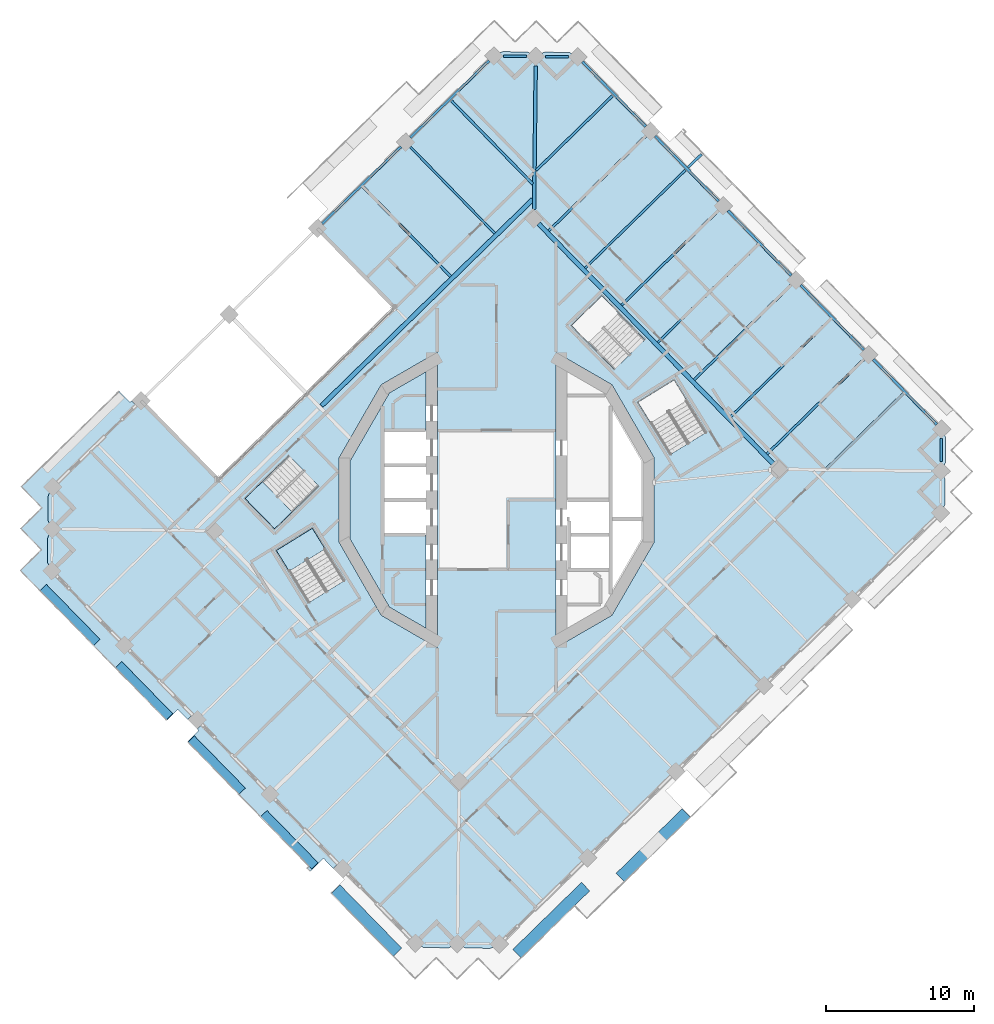
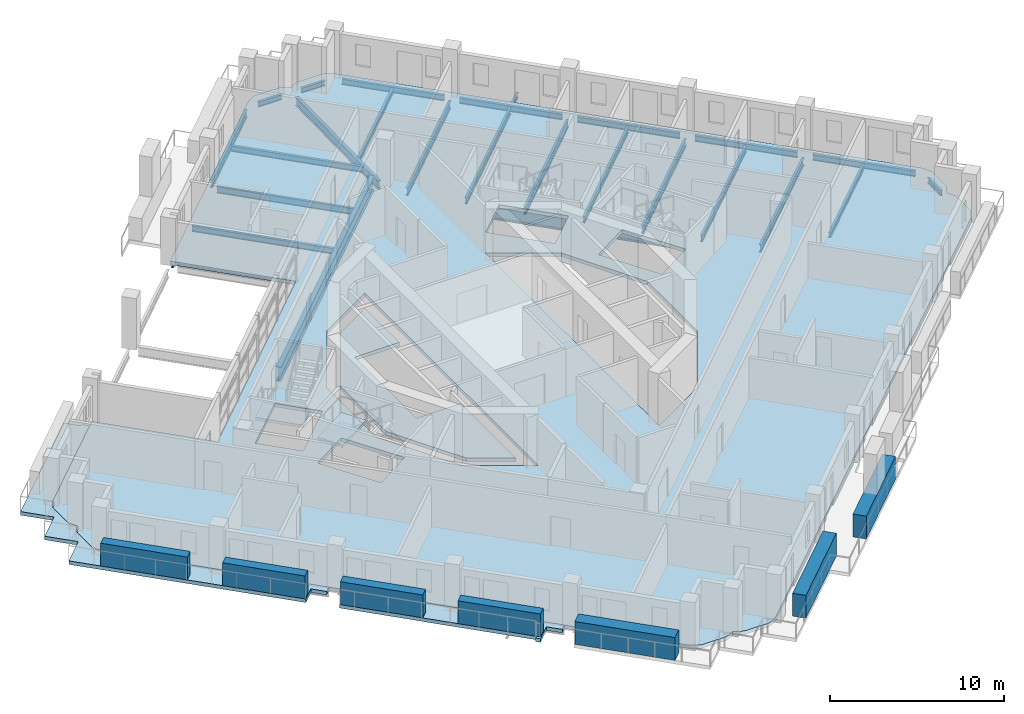
# One storey, part 5 of 21: 26 beams, 7 plates, 6 slabs, 2 elements without a shape of their own.
"""IFC4 building model written with IfcOpenShell, lengths in metres."""

from ifc_helpers import new_model, si_unit, direction, frame, origin, origin_2d, place, context, subcontext, project, spatial, polyline, rectangle, i_section, outline, extrude, material, layer, layer_set, material_profile, profile_set, type_object, element, aggregate, save


model = new_model("IFC4")

# Units and contexts
model_context = context("Model", 3, precision=1e-05, world=origin(), true_north=direction((0.0, 1.0)))
body_context = subcontext(model_context, "Body", "Model", "MODEL_VIEW")
ifc_project = project(units=[si_unit("LENGTHUNIT", "METRE"), si_unit("AREAUNIT", "SQUARE_METRE"), si_unit("VOLUMEUNIT", "CUBIC_METRE"), si_unit("PLANEANGLEUNIT", "RADIAN"), si_unit("MASSUNIT", "GRAM", prefix="KILO")], contexts=[model_context])

# Site, building, storey
site_placement = place(None, origin())
site = spatial("IfcSite", under=ifc_project, at=site_placement, CompositionType="ELEMENT")
building_placement = place(site_placement, origin())
building = spatial("IfcBuilding", under=site, at=building_placement, Name="Cantera Rosa Tower", CompositionType="ELEMENT")
storey_placement = place(building_placement, frame((0.0, 0.0, 234.199951171875)))
storey = spatial("IfcBuildingStorey", under=building, at=storey_placement, Name="L51", CompositionType="ELEMENT", Elevation=234.199951171875)

# Beams
ifc_material_1 = material(Name="Steel ASTM A992 (Fy 345 MPa)", Category="steel")
ifc_material_profile_1 = material_profile(ifc_material_1, i_section(OverallWidth=0.302001953125, OverallDepth=1.010009765625, WebThickness=0.02099609375, FlangeThickness=0.0400390625, FilletRadius=0.030029296875, at=origin_2d()), Name="W1000X350")
ifc_profile_set_1 = profile_set([ifc_material_profile_1], Name="Steel ASTM A992 (Fy 345 MPa)")
beam_type_1 = type_object("IfcBeamType", Name="STEEL BEAM W1000X350", PredefinedType="BEAM", material=ifc_profile_set_1)
beam_1_placement = place(storey_placement, frame((-11.813232421875, 6.353271484375, -0.7548828125), z_axis=(0.715280810147, 0.698837150297, 0.0), x_axis=(-0.698837150297, 0.715280810147, 0.0)))
element("IfcBeam", 1, at=beam_1_placement, inside=storey, type_object=beam_type_1, Name="RB-Z4-02 L51", PredefinedType="BEAM", context=body_context, shape_type="SweptSolid", body=[
    extrude(i_section(OverallWidth=0.302001953125, OverallDepth=1.010009765625, WebThickness=0.02099609375, FlangeThickness=0.0400390625, FilletRadius=0.030029296875, at=origin_2d()), origin(), (0.0, 0.0, 1.0), 19.909912109375),
])
beam_2_placement = place(storey_placement, frame((18.69677734375, 2.39892578125, -0.7548828125), z_axis=(-0.698831294804, 0.715286530981, 0.0), x_axis=(-0.715286530981, -0.698831294804, 0.0)))
element("IfcBeam", 2, at=beam_2_placement, inside=storey, type_object=beam_type_1, Name="RB-Z4-05 L51", PredefinedType="BEAM", context=body_context, shape_type="SweptSolid", body=[
    extrude(i_section(OverallWidth=0.302001953125, OverallDepth=1.010009765625, WebThickness=0.02099609375, FlangeThickness=0.0400390625, FilletRadius=0.030029296875, at=origin_2d()), origin(), (0.0, 0.0, 1.0), 22.7001953125),
])
ifc_material_2 = material(Name="Steel ASTM A992 (Fy 345 MPa)", Category="steel")
ifc_material_profile_2 = material_profile(ifc_material_2, i_section(OverallWidth=0.154052734375, OverallDepth=0.4599609375, WebThickness=0.009033203125, FlangeThickness=0.015380859375, FilletRadius=0.01025390625, at=origin_2d()), Name="W460X68")
ifc_profile_set_2 = profile_set([ifc_material_profile_2], Name="Steel ASTM A992 (Fy 345 MPa)")
beam_type_2 = type_object("IfcBeamType", Name="STEEL BEAM W460X68", PredefinedType="BEAM", material=ifc_profile_set_2)
beam_3_placement = place(storey_placement, frame((-5.818603515625, 23.81396484375, -0.47998046875), z_axis=(0.698836133494, -0.715281803574, 0.0), x_axis=(0.715281803574, 0.698836133494, 0.0)))
element("IfcBeam", 3, at=beam_3_placement, inside=storey, type_object=beam_type_2, Name="G-Z4-05 L51", PredefinedType="BEAM", context=body_context, shape_type="SweptSolid", body=[
    extrude(i_section(OverallWidth=0.154052734375, OverallDepth=0.4599609375, WebThickness=0.009033203125, FlangeThickness=0.015380859375, FilletRadius=0.01025390625, at=origin_2d()), origin(), (0.0, 0.0, 1.0), 8.150146484375),
])
ifc_material_3 = material(Name="Steel ASTM A992 (Fy 345 MPa)", Category="steel")
ifc_material_profile_3 = material_profile(ifc_material_3, i_section(OverallWidth=0.166015625, OverallDepth=0.528076171875, WebThickness=0.009765625, FlangeThickness=0.013671875, FilletRadius=0.0126953125, at=origin_2d()), Name="W530X74")
ifc_profile_set_3 = profile_set([ifc_material_profile_3], Name="Steel ASTM A992 (Fy 345 MPa)")
beam_type_3 = type_object("IfcBeamType", Name="STEEL BEAM W530X74", PredefinedType="BEAM", material=ifc_profile_set_3)
for number, where, z_axis, x_axis, name in (
    (4, (24.77587890625, 9.484619140625, -0.513916015625), (-0.71529025682, -0.698827481213, 0.0), (0.698827481213, -0.71529025682, 0.0), "G-Z4-01 L51"),
    (5, (19.8701171875, 14.505859375, -0.513916015625), (-0.71529025682, -0.698827481213, 0.0), (0.698827481213, -0.71529025682, 0.0), "G-Z4-02 L51"),
    (6, (14.96435546875, 19.527099609375, -0.513916015625), (-0.71529025682, -0.698827481213, 0.0), (0.698827481213, -0.71529025682, 0.0), "G-Z4-03 L51"),
    (7, (10.05859375, 24.548583984375, -0.513916015625), (-0.71529025682, -0.698827481213, 0.0), (0.698827481213, -0.71529025682, 0.0), "G-Z4-04 L51"),
):
    element("IfcBeam", number, at=place(storey_placement, frame(where, z_axis=z_axis, x_axis=x_axis)), inside=storey, type_object=beam_type_3, Name=name, PredefinedType="BEAM", context=body_context, shape_type="SweptSolid", body=[
        extrude(i_section(OverallWidth=0.166015625, OverallDepth=0.528076171875, WebThickness=0.009765625, FlangeThickness=0.013671875, FilletRadius=0.0126953125, at=origin_2d()), origin(), (0.0, 0.0, 1.0), 9.14990234375),
    ])
ifc_material_4 = material(Name="Steel ASTM A992 (Fy 345 MPa)", Category="steel")
ifc_material_profile_4 = material_profile(ifc_material_4, i_section(OverallWidth=0.22802734375, OverallDepth=0.60205078125, WebThickness=0.010498046875, FlangeThickness=0.014892578125, FilletRadius=0.0126953125, at=origin_2d()), Name="W610X101")
ifc_profile_set_4 = profile_set([ifc_material_profile_4], Name="Steel ASTM A992 (Fy 345 MPa)")
beam_type_4 = type_object("IfcBeamType", Name="STEEL BEAM W610X101", PredefinedType="BEAM", material=ifc_profile_set_4)
beam_4_placement = place(storey_placement, frame((2.638916015625, 29.28076171875, -0.551025390625), z_axis=(-0.011618330597, -0.999932504919, 0.0), x_axis=(0.999932504919, -0.011618330597, 0.0)))
element("IfcBeam", 8, at=beam_4_placement, inside=storey, type_object=beam_type_4, Name="CB-Z4-01 L51", PredefinedType="BEAM", context=body_context, shape_type="SweptSolid", body=[
    extrude(i_section(OverallWidth=0.22802734375, OverallDepth=0.60205078125, WebThickness=0.010498046875, FlangeThickness=0.014892578125, FilletRadius=0.0126953125, at=origin_2d()), origin(), (0.0, 0.0, 1.0), 9.687255859375),
])
ifc_material_5 = material(Name="Steel ASTM A992 (Fy 345 MPa)", Category="steel")
ifc_material_profile_5 = material_profile(ifc_material_5, i_section(OverallWidth=0.1708984375, OverallDepth=0.35595703125, WebThickness=0.00732421875, FlangeThickness=0.01171875, FilletRadius=0.010009765625, at=origin_2d()), Name="W360X51")
ifc_profile_set_5 = profile_set([ifc_material_profile_5], Name="Steel ASTM A992 (Fy 345 MPa)")
beam_type_5 = type_object("IfcBeamType", Name="STEEL JOIST W360X51", PredefinedType="JOIST", material=ifc_profile_set_5)
for number, where, z_axis, x_axis, name in (
    (9, (27.443359375, 7.18359375, -0.427978515625), (-0.715287213552, -0.69883059616, 0.0), (0.69883059616, -0.715287213552, 0.0), "B-Z4-01 L51"),
    (10, (7.8203125, 27.268798828125, -0.427978515625), (-0.715287213552, -0.69883059616, 0.0), (0.69883059616, -0.715287213552, 0.0), "B-Z4-05 L51"),
):
    element("IfcBeam", number, at=place(storey_placement, frame(where, z_axis=z_axis, x_axis=x_axis)), inside=storey, type_object=beam_type_5, Name=name, PredefinedType="JOIST", context=body_context, shape_type="SweptSolid", body=[
        extrude(i_section(OverallWidth=0.1708984375, OverallDepth=0.35595703125, WebThickness=0.00732421875, FlangeThickness=0.01171875, FilletRadius=0.010009765625, at=origin_2d()), origin(), (0.0, 0.0, 1.0), 7.2099609375),
    ])
beam_5_placement = place(storey_placement, frame((12.92626953125, 22.443115234375, -0.427978515625), z_axis=(0.715266175044, 0.698852129451, 0.0), x_axis=(-0.698852129451, 0.715266175044, 0.0)))
element("IfcBeam", 11, at=beam_5_placement, inside=storey, type_object=beam_type_5, Name="BS-Z4-17 L51", PredefinedType="JOIST", context=body_context, shape_type="SweptSolid", body=[
    extrude(i_section(OverallWidth=0.1708984375, OverallDepth=0.35595703125, WebThickness=0.00732421875, FlangeThickness=0.01171875, FilletRadius=0.010009765625, at=origin_2d()), origin(), (0.0, 0.0, 1.0), 1.26416015625),
])
ifc_material_6 = material(Name="Steel ASTM A992 (Fy 345 MPa)", Category="steel")
ifc_material_profile_6 = material_profile(ifc_material_6, i_section(OverallWidth=0.177978515625, OverallDepth=0.406005859375, WebThickness=0.0078125, FlangeThickness=0.0126953125, FilletRadius=0.01025390625, at=origin_2d()), Name="W410X60")
ifc_profile_set_6 = profile_set([ifc_material_profile_6], Name="Steel ASTM A992 (Fy 345 MPa)")
beam_type_6 = type_object("IfcBeamType", Name="STEEL JOIST W410X60", PredefinedType="JOIST", material=ifc_profile_set_6)
beam_6_placement = place(storey_placement, frame((-3.052734375, 26.935791015625, -0.452880859375), z_axis=(0.698827868311, -0.715289878631, 0.0), x_axis=(0.715289878631, 0.698827868311, 0.0)))
element("IfcBeam", 12, at=beam_6_placement, inside=storey, type_object=beam_type_6, Name="B-Z4-06 L51", PredefinedType="JOIST", context=body_context, shape_type="SweptSolid", body=[
    extrude(i_section(OverallWidth=0.177978515625, OverallDepth=0.406005859375, WebThickness=0.0078125, FlangeThickness=0.0126953125, FilletRadius=0.01025390625, at=origin_2d()), origin(), (0.0, 0.0, 1.0), 7.860107421875),
])
beam_7_placement = place(storey_placement, frame((-9.00390625, 21.121337890625, -0.452880859375), z_axis=(0.698839235604, -0.715278772774, 0.0), x_axis=(0.715278772774, 0.698839235604, 0.0)))
element("IfcBeam", 13, at=beam_7_placement, inside=storey, type_object=beam_type_6, Name="B-Z4-07 L51", PredefinedType="JOIST", context=body_context, shape_type="SweptSolid", body=[
    extrude(i_section(OverallWidth=0.177978515625, OverallDepth=0.406005859375, WebThickness=0.0078125, FlangeThickness=0.0126953125, FilletRadius=0.01025390625, at=origin_2d()), origin(), (0.0, 0.0, 1.0), 8.4501953125),
])
ifc_material_7 = material(Name="Steel ASTM A992 (Fy 345 MPa)", Category="steel")
ifc_material_profile_7 = material_profile(ifc_material_7, i_section(OverallWidth=0.154052734375, OverallDepth=0.4599609375, WebThickness=0.009033203125, FlangeThickness=0.015380859375, FilletRadius=0.01025390625, at=origin_2d()), Name="W460X68")
ifc_profile_set_7 = profile_set([ifc_material_profile_7], Name="Steel ASTM A992 (Fy 345 MPa)")
beam_type_7 = type_object("IfcBeamType", Name="STEEL JOIST W460X68", PredefinedType="JOIST", material=ifc_profile_set_7)
for number, where, z_axis, x_axis, name in (
    (14, (22.53759765625, 12.204833984375, -0.47998046875), (-0.715287278354, -0.698830529832, 0.0), (0.698830529832, -0.715287278354, 0.0), "B-Z4-02 L51"),
    (15, (17.6318359375, 17.226318359375, -0.47998046875), (-0.715287278354, -0.698830529832, 0.0), (0.698830529832, -0.715287278354, 0.0), "B-Z4-03 L51"),
    (16, (12.72607421875, 22.24755859375, -0.47998046875), (-0.715287278354, -0.698830529832, 0.0), (0.698830529832, -0.715287278354, 0.0), "B-Z4-04 L51"),
):
    element("IfcBeam", number, at=place(storey_placement, frame(where, z_axis=z_axis, x_axis=x_axis)), inside=storey, type_object=beam_type_7, Name=name, PredefinedType="JOIST", context=body_context, shape_type="SweptSolid", body=[
        extrude(i_section(OverallWidth=0.154052734375, OverallDepth=0.4599609375, WebThickness=0.009033203125, FlangeThickness=0.015380859375, FilletRadius=0.01025390625, at=origin_2d()), origin(), (0.0, 0.0, 1.0), 9.4501953125),
    ])
ifc_material_8 = material(Name="Steel ASTM A992 (Fy 345 MPa)", Category="steel")
ifc_material_profile_8 = material_profile(ifc_material_8, i_section(OverallWidth=0.1708984375, OverallDepth=0.35595703125, WebThickness=0.00732421875, FlangeThickness=0.01171875, FilletRadius=0.010009765625, at=origin_2d()), Name="W360X51")
ifc_profile_set_8 = profile_set([ifc_material_profile_8], Name="Steel ASTM A992 (Fy 345 MPa)")
beam_type_8 = type_object("IfcBeamType", Name="STEEL SPANDREL BEAM W360X51", PredefinedType="SPANDREL", material=ifc_profile_set_8)
for number, where, z_axis, x_axis, name in (
    (17, (4.838134765625, 29.8916015625, -0.427978515625), (-0.999930716123, 0.011771276677, 0.0), (-0.011771276677, -0.999930716123, 0.0), "EB-Z4-06 L51"),
    (18, (2.010009765625, 29.924560546875, -0.427978515625), (-0.99993255119, 0.011614347636, 0.0), (-0.011614347636, -0.99993255119, 0.0), "EB-Z4-07 L51"),
    (19, (29.97802734375, 2.5859375, -0.427978515625), (0.011614347636, 0.99993255119, 0.0), (-0.99993255119, 0.011614347636, 0.0), "EB-Z4-28 L51"),
):
    element("IfcBeam", number, at=place(storey_placement, frame(where, z_axis=z_axis, x_axis=x_axis)), inside=storey, type_object=beam_type_8, Name=name, PredefinedType="SPANDREL", context=body_context, shape_type="SweptSolid", body=[
        extrude(i_section(OverallWidth=0.1708984375, OverallDepth=0.35595703125, WebThickness=0.00732421875, FlangeThickness=0.01171875, FilletRadius=0.010009765625, at=origin_2d()), origin(), (0.0, 0.0, 1.0), 1.555419921875),
    ])
ifc_material_9 = material(Name="Steel ASTM A992 (Fy 345 MPa)", Category="steel")
ifc_material_profile_9 = material_profile(ifc_material_9, i_section(OverallWidth=0.177978515625, OverallDepth=0.406005859375, WebThickness=0.0078125, FlangeThickness=0.0126953125, FilletRadius=0.01025390625, at=origin_2d()), Name="W410X60")
ifc_profile_set_9 = profile_set([ifc_material_profile_9], Name="Steel ASTM A992 (Fy 345 MPa)")
beam_type_9 = type_object("IfcBeamType", Name="STEEL SPANDREL BEAM W410X60", PredefinedType="SPANDREL", material=ifc_profile_set_9)
beam_8_placement = place(storey_placement, frame((29.689208984375, 5.099609375, -0.452880859375), z_axis=(-0.69882117953, 0.715296413412, 0.0), x_axis=(-0.715296413412, -0.69882117953, 0.0)))
element("IfcBeam", 20, at=beam_8_placement, inside=storey, type_object=beam_type_9, Name="EB-Z4-01 L51", PredefinedType="SPANDREL", context=body_context, shape_type="SweptSolid", body=[
    extrude(i_section(OverallWidth=0.177978515625, OverallDepth=0.406005859375, WebThickness=0.0078125, FlangeThickness=0.0126953125, FilletRadius=0.01025390625, at=origin_2d()), origin(), (0.0, 0.0, 1.0), 6.1201171875),
])
for number, where, z_axis, x_axis, name in (
    (21, (24.783203125, 10.120849609375, -0.452880859375), (-0.698800768177, 0.715316354067, 0.0), (-0.715316354067, -0.698800768177, 0.0), "EB-Z4-02 L51"),
    (22, (19.87744140625, 15.142333984375, -0.452880859375), (-0.698841120217, 0.71527693147, 0.0), (-0.71527693147, -0.698841120217, 0.0), "EB-Z4-03 L51"),
    (23, (14.9716796875, 20.16357421875, -0.452880859375), (-0.698841120217, 0.71527693147, 0.0), (-0.71527693147, -0.698841120217, 0.0), "EB-Z4-04 L51"),
):
    element("IfcBeam", number, at=place(storey_placement, frame(where, z_axis=z_axis, x_axis=x_axis)), inside=storey, type_object=beam_type_9, Name=name, PredefinedType="SPANDREL", context=body_context, shape_type="SweptSolid", body=[
        extrude(i_section(OverallWidth=0.177978515625, OverallDepth=0.406005859375, WebThickness=0.0078125, FlangeThickness=0.0126953125, FilletRadius=0.01025390625, at=origin_2d()), origin(), (0.0, 0.0, 1.0), 6.119873046875),
    ])
beam_9_placement = place(storey_placement, frame((10.06591796875, 25.184814453125, -0.452880859375), z_axis=(-0.69882117953, 0.715296413412, 0.0), x_axis=(-0.715296413412, -0.69882117953, 0.0)))
element("IfcBeam", 24, at=beam_9_placement, inside=storey, type_object=beam_type_9, Name="EB-Z4-05 L51", PredefinedType="SPANDREL", context=body_context, shape_type="SweptSolid", body=[
    extrude(i_section(OverallWidth=0.177978515625, OverallDepth=0.406005859375, WebThickness=0.0078125, FlangeThickness=0.0126953125, FilletRadius=0.01025390625, at=origin_2d()), origin(), (0.0, 0.0, 1.0), 6.1201171875),
])
ifc_material_10 = material(Name="Steel ASTM A992 (Fy 345 MPa)", Category="steel")
ifc_material_profile_10 = material_profile(ifc_material_10, i_section(OverallWidth=0.166015625, OverallDepth=0.528076171875, WebThickness=0.009765625, FlangeThickness=0.013671875, FilletRadius=0.0126953125, at=origin_2d()), Name="W530X74")
ifc_profile_set_10 = profile_set([ifc_material_profile_10], Name="Steel ASTM A992 (Fy 345 MPa)")
beam_type_10 = type_object("IfcBeamType", Name="STEEL SPANDREL BEAM W530X74", PredefinedType="SPANDREL", material=ifc_profile_set_10)
beam_10_placement = place(storey_placement, frame((-0.503662109375, 29.6357421875, -0.513916015625), z_axis=(-0.715284379566, -0.698833496871, 0.0), x_axis=(0.698833496871, -0.715284379566, 0.0)))
element("IfcBeam", 25, at=beam_10_placement, inside=storey, type_object=beam_type_10, Name="EB-Z4-08 L51", PredefinedType="SPANDREL", context=body_context, shape_type="SweptSolid", body=[
    extrude(i_section(OverallWidth=0.166015625, OverallDepth=0.528076171875, WebThickness=0.009765625, FlangeThickness=0.013671875, FilletRadius=0.0126953125, at=origin_2d()), origin(), (0.0, 0.0, 1.0), 7.42041015625),
])
beam_11_placement = place(storey_placement, frame((-6.454833984375, 23.8212890625, -0.513916015625), z_axis=(-0.715300826176, -0.698816662703, 0.0), x_axis=(0.698816662703, -0.715300826176, 0.0)))
element("IfcBeam", 26, at=beam_11_placement, inside=storey, type_object=beam_type_10, Name="EB-Z4-09 L51", PredefinedType="SPANDREL", context=body_context, shape_type="SweptSolid", body=[
    extrude(i_section(OverallWidth=0.166015625, OverallDepth=0.528076171875, WebThickness=0.009765625, FlangeThickness=0.013671875, FilletRadius=0.0126953125, at=origin_2d()), origin(), (0.0, 0.0, 1.0), 7.420166015625),
])

# Slabs
ifc_material_11 = material(Name="Concrete C35/45", Category="concrete")
ifc_layer_1 = layer(ifc_material_11, 0.25)
ifc_layer_set_1 = layer_set([ifc_layer_1], Name="COMPOSITE FLOOR SLAB 250 C35/45")
slab_type_1 = type_object("IfcSlabType", Name="COMPOSITE FLOOR SLAB 250 C35/45", PredefinedType="FLOOR", material=ifc_layer_set_1)
slab_1_placement = place(storey_placement, frame((0.0, 0.0, -0.25)))
element("IfcSlab", 27, at=slab_1_placement, inside=storey, type_object=slab_type_1, Name="SLAB L51 floor 1", PredefinedType="FLOOR", context=body_context, shape_type="SweptSolid", body=[
    extrude(outline(polyline([(-7.699951171875, 0.0), (-7.699951171875, -2.35009765625), (-4.75, -2.35009765625), (-4.75, -8.660400390625), (-7.22900390625, -7.22900390625), (-9.875244140625, -2.64599609375), (-9.875244140625, 2.64599609375), (-7.22900390625, 7.22900390625), (-4.75, 8.660400390625), (-4.75, 4.699951171875), (-7.699951171875, 4.699951171875), (-7.699951171875, 2.35009765625), (-7.699951171875, 0.0)])), origin(), (0.0, 0.0, 1.0), 0.25),
])
slab_2_placement = place(storey_placement, frame((0.0, 0.0, -0.25)))
element("IfcSlab", 28, at=slab_2_placement, inside=storey, type_object=slab_type_1, Name="SLAB L51 floor 2", PredefinedType="FLOOR", context=body_context, shape_type="SweptSolid", body=[
    extrude(outline(polyline([(-2.1279296875, -30.200439453125), (-2.154541015625, -30.1875), (-2.646484375, -29.917236328125), (-3.144287109375, -30.176025390625), (-3.171142578125, -30.188232421875), (-3.198974609375, -30.197998046875), (-3.2275390625, -30.20458984375), (-3.2568359375, -30.208740234375), (-3.2861328125, -30.209716796875), (-4.841796875, -30.191650390625), (-4.87109375, -30.18994140625), (-4.900146484375, -30.185302734375), (-4.9287109375, -30.177734375), (-4.956298828125, -30.16748046875), (-4.982666015625, -30.154541015625), (-5.474609375, -29.88427734375), (-30.003662109375, -4.777587890625), (-30.262451171875, -4.27978515625), (-30.274658203125, -4.2529296875), (-30.2841796875, -4.22509765625), (-30.291015625, -4.196533203125), (-30.295166015625, -4.167236328125), (-30.296142578125, -4.137939453125), (-30.278076171875, -2.58251953125), (-30.2763671875, -2.552978515625), (-30.271484375, -2.52392578125), (-30.26416015625, -2.495361328125), (-30.25390625, -2.4677734375), (-30.240966796875, -2.44140625), (-29.970703125, -1.949462890625), (-30.2294921875, -1.451416015625), (-30.24169921875, -1.4248046875), (-30.25146484375, -1.39697265625), (-30.25830078125, -1.368408203125), (-30.26220703125, -1.339111328125), (-30.26318359375, -1.309814453125), (-30.2451171875, 0.245849609375), (-30.243408203125, 0.275146484375), (-30.23876953125, 0.30419921875), (-30.231201171875, 0.332763671875), (-30.220947265625, 0.3603515625), (-30.2080078125, 0.386962890625), (-29.937744140625, 0.878662109375), (-23.986572265625, 6.693115234375), (-18.745361328125, 1.328369140625), (-6.843017578125, 12.956787109375), (-12.084228515625, 18.321533203125), (-0.883056640625, 29.26513671875), (-0.181884765625, 29.9501953125), (0.316162109375, 30.208984375), (0.343017578125, 30.22119140625), (0.37060546875, 30.230712890625), (0.3994140625, 30.237548828125), (0.4287109375, 30.24169921875), (0.4580078125, 30.24267578125), (2.013427734375, 30.224609375), (2.04296875, 30.222900390625), (2.072021484375, 30.218017578125), (2.100341796875, 30.210693359375), (2.1279296875, 30.200439453125), (2.154541015625, 30.1875), (2.646484375, 29.917236328125), (3.144287109375, 30.176025390625), (3.171142578125, 30.188232421875), (3.198974609375, 30.197998046875), (3.2275390625, 30.20458984375), (3.2568359375, 30.208740234375), (3.2861328125, 30.209716796875), (4.841796875, 30.191650390625), (4.87109375, 30.18994140625), (4.900146484375, 30.185302734375), (4.9287109375, 30.177734375), (4.956298828125, 30.16748046875), (4.982666015625, 30.154541015625), (5.474609375, 29.88427734375), (30.003662109375, 4.777587890625), (30.262451171875, 4.27978515625), (30.274658203125, 4.2529296875), (30.2841796875, 4.22509765625), (30.291015625, 4.196533203125), (30.295166015625, 4.167236328125), (30.296142578125, 4.137939453125), (30.278076171875, 2.58251953125), (30.2763671875, 2.552978515625), (30.271484375, 2.52392578125), (30.26416015625, 2.495361328125), (30.25390625, 2.4677734375), (30.240966796875, 2.44140625), (29.970703125, 1.949462890625), (30.2294921875, 1.451416015625), (30.24169921875, 1.4248046875), (30.25146484375, 1.39697265625), (30.25830078125, 1.368408203125), (30.26220703125, 1.339111328125), (30.26318359375, 1.309814453125), (30.2451171875, -0.245849609375), (30.243408203125, -0.275146484375), (30.23876953125, -0.30419921875), (30.231201171875, -0.332763671875), (30.220947265625, -0.3603515625), (30.2080078125, -0.386962890625), (29.937744140625, -0.878662109375), (0.883056640625, -29.26513671875), (0.181884765625, -29.9501953125), (-0.316162109375, -30.208984375), (-0.343017578125, -30.22119140625), (-0.37060546875, -30.230712890625), (-0.3994140625, -30.237548828125), (-0.4287109375, -30.24169921875), (-0.4580078125, -30.24267578125), (-2.013427734375, -30.224609375), (-2.04296875, -30.222900390625), (-2.072021484375, -30.218017578125), (-2.100341796875, -30.210693359375), (-2.1279296875, -30.200439453125)]), holes=[polyline([(-12.430908203125, -1.911376953125), (-14.8564453125, -3.407470703125), (-12.68408203125, -6.929443359375), (-10.258544921875, -5.433349609375), (-12.430908203125, -1.911376953125)]), polyline([(-7.7783203125, 7.7783203125), (-10.625244140625, 2.846923828125), (-10.625244140625, -2.846923828125), (-7.7783203125, -7.7783203125), (-4.0, -9.95947265625), (-4.0, 9.95947265625), (-7.7783203125, 7.7783203125)]), polyline([(-14.0029296875, 2.9892578125), (-16.962890625, 0.097412109375), (-14.97119140625, -1.941162109375), (-12.01123046875, 0.95068359375), (-14.0029296875, 2.9892578125)]), polyline([(7.7783203125, -7.7783203125), (10.625244140625, -2.846923828125), (10.625244140625, 2.846923828125), (7.7783203125, 7.7783203125), (4.0, 9.95947265625), (4.0, -9.95947265625), (7.7783203125, -7.7783203125)]), polyline([(14.1416015625, 4.566650390625), (11.96923828125, 8.088623046875), (9.54345703125, 6.592529296875), (11.7158203125, 3.070556640625), (14.1416015625, 4.566650390625)]), polyline([(9.9892578125, 10.802978515625), (7.097412109375, 13.762939453125), (5.058837890625, 11.771240234375), (7.95068359375, 8.811279296875), (9.9892578125, 10.802978515625)])]), origin(), (0.0, 0.0, 1.0), 0.25),
])
ifc_material_12 = material(Name="Concrete C35/45", Category="concrete")
ifc_layer_2 = layer(ifc_material_12, 0.25)
ifc_layer_set_2 = layer_set([ifc_layer_2], Name="LOGGIA SLAB 250 C35/45")
slab_type_2 = type_object("IfcSlabType", Name="LOGGIA SLAB 250 C35/45", PredefinedType="FLOOR", material=ifc_layer_set_2)
slab_3_placement = place(storey_placement, frame((0.0, 0.0, -0.25)))
element("IfcSlab", 29, at=slab_3_placement, inside=storey, type_object=slab_type_2, Name="LOGGIA SLAB L51 1", PredefinedType="FLOOR", context=body_context, shape_type="SweptSolid", body=[
    extrude(outline(polyline([(-27.218994140625, -9.7744140625), (-31.076416015625, -5.825927734375), (-32.124755859375, -4.753173828125), (-31.0517578125, -3.704833984375), (-30.694091796875, -3.35546875), (-31.043701171875, -2.997802734375), (-32.091796875, -1.9248046875), (-31.018798828125, -0.876708984375), (-30.661376953125, -0.527099609375), (-31.0107421875, -0.16943359375), (-32.05908203125, 0.9033203125), (-30.986083984375, 1.95166015625), (-26.110107421875, 6.71533203125), (-26.11279296875, 6.7177734375), (-25.46630859375, 7.34912109375), (-24.730224609375, 6.595703125), (-24.622802734375, 6.700439453125), (-24.30859375, 6.37841796875), (-29.937744140625, 0.878662109375), (-30.2080078125, 0.386962890625), (-30.220947265625, 0.3603515625), (-30.231201171875, 0.332763671875), (-30.23876953125, 0.30419921875), (-30.243408203125, 0.275146484375), (-30.2451171875, 0.245849609375), (-30.26318359375, -1.309814453125), (-30.26220703125, -1.339111328125), (-30.25830078125, -1.368408203125), (-30.25146484375, -1.39697265625), (-30.24169921875, -1.4248046875), (-30.2294921875, -1.451416015625), (-29.970703125, -1.949462890625), (-30.240966796875, -2.44140625), (-30.25390625, -2.4677734375), (-30.26416015625, -2.495361328125), (-30.271484375, -2.52392578125), (-30.2763671875, -2.552978515625), (-30.278076171875, -2.58251953125), (-30.296142578125, -4.137939453125), (-30.295166015625, -4.167236328125), (-30.291015625, -4.196533203125), (-30.2841796875, -4.22509765625), (-30.274658203125, -4.2529296875), (-30.262451171875, -4.27978515625), (-30.003662109375, -4.777587890625), (-20.506591796875, -14.49853515625), (-20.828369140625, -14.81298828125), (-21.4921875, -14.13330078125), (-22.243408203125, -14.8671875), (-22.313232421875, -14.795654296875), (-25.12255859375, -11.920166015625), (-27.218994140625, -9.7744140625)])), origin(), (0.0, 0.0, 1.0), 0.25),
])
slab_4_placement = place(storey_placement, frame((0.0, 0.0, -0.25)))
element("IfcSlab", 30, at=slab_4_placement, inside=storey, type_object=slab_type_2, Name="LOGGIA SLAB L51 2", PredefinedType="FLOOR", context=body_context, shape_type="SweptSolid", body=[
    extrude(outline(polyline([(-17.42724609375, -19.81689453125), (-17.417236328125, -19.806884765625), (-20.216796875, -16.94140625), (-20.845703125, -16.2978515625), (-20.094482421875, -15.56396484375), (-20.199462890625, -15.456787109375), (-19.87744140625, -15.14208984375), (-10.69482421875, -24.541015625), (-11.016845703125, -24.855712890625), (-11.6806640625, -24.176025390625), (-12.57470703125, -25.049560546875), (-12.784423828125, -24.8349609375), (-12.6513671875, -24.705078125), (-17.42724609375, -19.81689453125)])), origin(), (0.0, 0.0, 1.0), 0.25),
])

# Plates
ifc_material_13 = material(Name="Cantera stone planter with soil", Category="masonry")
plate_type_1 = type_object("IfcPlateType", Name="PLANTER 600", PredefinedType="USERDEFINED", material=ifc_material_13)
plate_1_placement = place(storey_placement, frame((-28.77587890625, -7.75146484375, 0.0), z_axis=(0.0, 0.0, 1.0), x_axis=(0.698831540364, -0.71528629107, 0.0)))
element("IfcPlate", 31, at=plate_1_placement, inside=storey, type_object=plate_type_1, Name="PLANTER L51-11", ObjectType="PLANTER", PredefinedType="USERDEFINED", context=body_context, shape_type="SweptSolid", body=[
    extrude(rectangle(XDim=5.169921875, YDim=0.60009765625, at=origin_2d()), origin(), (0.0, 0.0, 1.0), 1.60009765625),
])
for number, where, z_axis, x_axis, name in (
    (32, (-23.78271484375, -12.8623046875, 0.0), (0.0, 0.0, 1.0), (0.698831540364, -0.71528629107, 0.0), "PLANTER L51-12"),
    (33, (-18.876953125, -17.883544921875, 0.0), (0.0, 0.0, 1.0), (0.698831540364, -0.71528629107, 0.0), "PLANTER L51-13"),
    (34, (-13.981201171875, -22.91455078125, 0.0), (0.0, 0.0, 1.0), (0.698831540364, -0.71528629107, 0.0), "PLANTER L51-14"),
):
    element("IfcPlate", number, at=place(storey_placement, frame(where, z_axis=z_axis, x_axis=x_axis)), inside=storey, type_object=plate_type_1, Name=name, ObjectType="PLANTER", PredefinedType="USERDEFINED", context=body_context, shape_type="SweptSolid", body=[
        extrude(rectangle(XDim=4.919921875, YDim=0.60009765625, at=origin_2d()), origin(), (0.0, 0.0, 1.0), 1.60009765625),
    ])
ifc_material_14 = material(Name="Cantera stone planter with soil", Category="masonry")
plate_type_2 = type_object("IfcPlateType", Name="PLANTER 800", PredefinedType="USERDEFINED", material=ifc_material_14)
plate_2_placement = place(storey_placement, frame((-8.77001953125, -28.37158203125, 0.0), z_axis=(0.0, 0.0, 1.0), x_axis=(0.698831540364, -0.71528629107, 0.0)))
element("IfcPlate", 35, at=plate_2_placement, inside=storey, type_object=plate_type_2, Name="PLANTER L51-15", ObjectType="PLANTER", PredefinedType="USERDEFINED", context=body_context, shape_type="SweptSolid", body=[
    extrude(rectangle(XDim=5.969970703125, YDim=0.800048828125, at=origin_2d()), origin(), (0.0, 0.0, 1.0), 1.60009765625),
])
plate_3_placement = place(storey_placement, frame((3.6904296875, -28.33984375, 0.0), z_axis=(0.0, 0.0, 1.0), x_axis=(0.71528629107, 0.698831540364, 0.0)))
element("IfcPlate", 36, at=plate_3_placement, inside=storey, type_object=plate_type_2, Name="PLANTER L51-16", ObjectType="PLANTER", PredefinedType="USERDEFINED", context=body_context, shape_type="SweptSolid", body=[
    extrude(rectangle(XDim=6.469970703125, YDim=0.800048828125, at=origin_2d()), origin(), (0.0, 0.0, 1.0), 1.60009765625),
])
plate_4_placement = place(storey_placement, frame((10.56640625, -23.29296875, 0.0), z_axis=(0.0, 0.0, 1.0), x_axis=(0.71528629107, 0.698831540364, 0.0)))
element("IfcPlate", 37, at=plate_4_placement, inside=storey, type_object=plate_type_2, Name="PLANTER L51-17", ObjectType="PLANTER", PredefinedType="USERDEFINED", context=body_context, shape_type="SweptSolid", body=[
    extrude(rectangle(XDim=6.219970703125, YDim=0.800048828125, at=origin_2d()), origin(), (0.0, 0.0, 1.0), 1.60009765625),
])

# Stair, slab
ifc_material_15 = material(Name="Concrete C35/45", Category="concrete")
stair_type = type_object("IfcStairType", Name="EXIT STAIR 1350 DOGLEG", PredefinedType="HALF_TURN_STAIR", material=ifc_material_15)
stair_1_placement = place(storey_placement, origin())
stair_1 = element("IfcStair", 38, at=stair_1_placement, inside=storey, type_object=stair_type, Name="L51 ST-43", PredefinedType="HALF_TURN_STAIR")
ifc_material_16 = material(Name="Concrete C35/45", Category="concrete")
ifc_layer_3 = layer(ifc_material_16, 0.199951171875)
ifc_layer_set_3 = layer_set([ifc_layer_3], Name="STAIR LANDING 200")
slab_type_3 = type_object("IfcSlabType", Name="STAIR LANDING 200", PredefinedType="LANDING", material=ifc_layer_set_3)
slab_5_placement = place(storey_placement, frame((0.0, 0.0, 1.60009765625)))
slab_5 = element("IfcSlab", 39, at=slab_5_placement, type_object=slab_type_3, Name="ST-43 landing 1", PredefinedType="LANDING", context=body_context, shape_type="SweptSolid", body=[
    extrude(outline(polyline([(-15.788330078125, 1.244873046875), (-16.962890625, 0.097412109375), (-14.97119140625, -1.941162109375), (-13.796630859375, -0.793701171875), (-15.788330078125, 1.244873046875)])), origin(), (0.0, 0.0, 1.0), 0.199951171875),
])
aggregate(stair_1, [slab_5])

stair_2_placement = place(storey_placement, origin())
stair_2 = element("IfcStair", 40, at=stair_2_placement, inside=storey, type_object=stair_type, Name="L51 ST-44", PredefinedType="HALF_TURN_STAIR")
slab_6_placement = place(storey_placement, frame((0.0, 0.0, 1.60009765625)))
slab_6 = element("IfcSlab", 41, at=slab_6_placement, type_object=slab_type_3, Name="ST-44 landing 1", PredefinedType="LANDING", context=body_context, shape_type="SweptSolid", body=[
    extrude(outline(polyline([(-11.56884765625, -3.308837890625), (-12.430908203125, -1.911376953125), (-14.8564453125, -3.407470703125), (-13.99462890625, -4.80517578125), (-11.56884765625, -3.308837890625)])), origin(), (0.0, 0.0, 1.0), 0.199951171875),
])
aggregate(stair_2, [slab_6])

save(model, "model.ifc")
